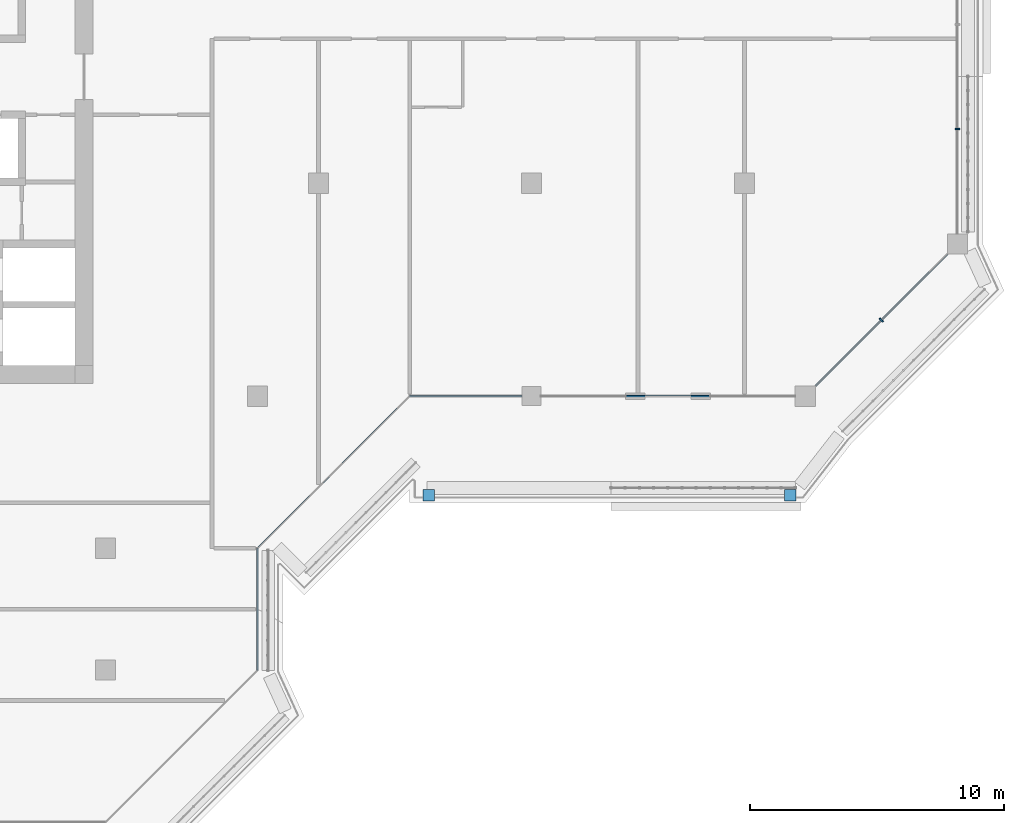
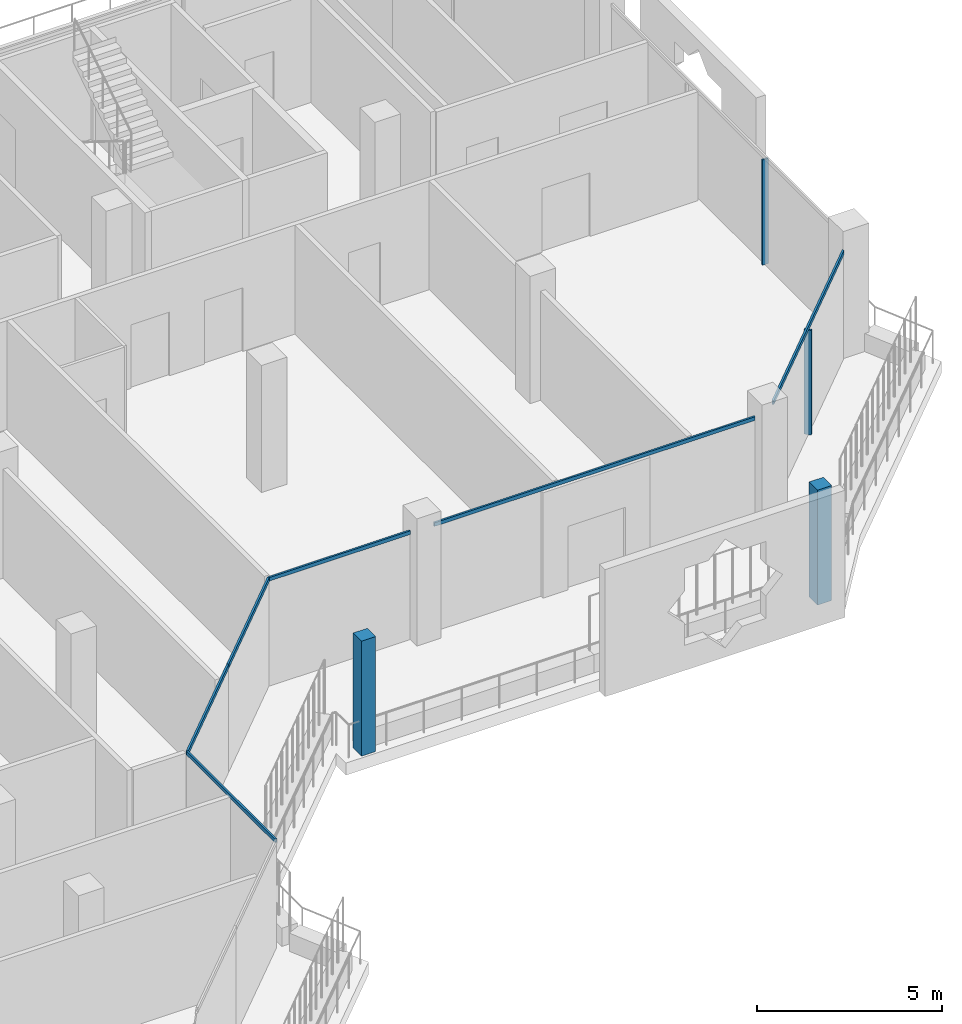
# One storey, part 5 of 21: 10 members, 6 elements without a shape of their own.
"""IFC4 building model written with IfcOpenShell, lengths in metres."""

from ifc_helpers import new_model, si_unit, direction, frame, origin, origin_2d, place, context, subcontext, project, spatial, rectangle, extrude, material, layer, layer_set, material_profile, profile_set, type_object, element, aggregate, save


model = new_model("IFC4")

# Units and contexts
model_context = context("Model", 3, precision=1e-05, world=origin(), true_north=direction((0.0, 1.0)))
body_context = subcontext(model_context, "Body", "Model", "MODEL_VIEW")
ifc_project = project(units=[si_unit("LENGTHUNIT", "METRE"), si_unit("AREAUNIT", "SQUARE_METRE"), si_unit("VOLUMEUNIT", "CUBIC_METRE"), si_unit("PLANEANGLEUNIT", "RADIAN"), si_unit("MASSUNIT", "GRAM", prefix="KILO")], contexts=[model_context])

# Site, building, storey
site_placement = place(None, origin())
site = spatial("IfcSite", under=ifc_project, at=site_placement, CompositionType="ELEMENT")
building_placement = place(site_placement, origin())
building = spatial("IfcBuilding", under=site, at=building_placement, Name="Kawkab Arch Medical Tower", CompositionType="ELEMENT")
storey_placement = place(building_placement, frame((0.0, 0.0, 307.0)))
storey = spatial("IfcBuildingStorey", under=building, at=storey_placement, Name="L71", CompositionType="ELEMENT", Elevation=307.0)

# Curtain wall, member
ifc_material_1 = material(Name="Bronze anodised aluminium curtain wall frame", Category="aluminium")
ifc_layer_1 = layer(ifc_material_1, 0.159912109375)
ifc_layer_set_1 = layer_set([ifc_layer_1], Name="Bronze anodised aluminium curtain wall frame")
curtain_wall_type_1 = type_object("IfcCurtainWallType", Name="CW1 ward curtain wall", PredefinedType="NOTDEFINED", material=ifc_layer_set_1)
placement = place(storey_placement, origin())
curtain_wall_1 = element("IfcCurtainWall", 1, at=placement, inside=storey, type_object=curtain_wall_type_1, Name="CW1 Ward curtain wall R13", PredefinedType="NOTDEFINED")
ifc_material_2 = material(Name="Bronze anodised aluminium curtain wall frame", Category="aluminium")
ifc_material_profile_1 = material_profile(ifc_material_2, rectangle(XDim=0.179931640625, YDim=0.06005859375, at=origin_2d()), Name="AL 60x180")
ifc_profile_set_1 = profile_set([ifc_material_profile_1], Name="Bronze anodised aluminium curtain wall frame")
member_type_1 = type_object("IfcMemberType", Name="CW1 mullion 60 x 180", PredefinedType="MULLION", material=ifc_profile_set_1)
member_1_placement = place(storey_placement, frame((58.800048828125, -14.666748046875, 0.0), z_axis=(0.0, 0.0, 1.0), x_axis=(-1.0, 0.0, 0.0)))
member_1 = element("IfcMember", 2, at=member_1_placement, type_object=member_type_1, Name="CW1 mullion 1.1", PredefinedType="MULLION", context=body_context, shape_type="SweptSolid", body=[
    extrude(rectangle(XDim=0.179931640625, YDim=0.06005859375, at=origin_2d()), origin(), (0.0, 0.0, 1.0), 3.47998046875),
])
aggregate(curtain_wall_1, [member_1])

curtain_wall_2 = element("IfcCurtainWall", 3, at=placement, inside=storey, type_object=curtain_wall_type_1, Name="CW1 Ward curtain wall R09", PredefinedType="NOTDEFINED")
ifc_material_3 = material(Name="Bronze anodised aluminium curtain wall frame", Category="aluminium")
ifc_material_profile_2 = material_profile(ifc_material_3, rectangle(XDim=0.06005859375, YDim=0.1201171875, at=origin_2d()), Name="AL 60x120")
ifc_profile_set_2 = profile_set([ifc_material_profile_2], Name="Bronze anodised aluminium curtain wall frame")
member_type_2 = type_object("IfcMemberType", Name="CW1 transom 120 x 60", PredefinedType="USERDEFINED", material=ifc_profile_set_2)
member_2_placement = place(storey_placement, frame((31.199951171875, -36.0, 3.5400390625), z_axis=(0.0, 1.0, 0.0), x_axis=(-1.0, 0.0, 0.0)))
member_2 = element("IfcMember", 4, at=member_2_placement, type_object=member_type_2, Name="CW1 transom 1", ObjectType="TRANSOM", PredefinedType="USERDEFINED", context=body_context, shape_type="SweptSolid", body=[
    extrude(rectangle(XDim=0.06005859375, YDim=0.1201171875, at=origin_2d()), origin(), (0.0, 0.0, 1.0), 4.800048828125),
])
aggregate(curtain_wall_2, [member_2])

# Curtain wall, members
curtain_wall_3 = element("IfcCurtainWall", 5, at=placement, inside=storey, type_object=curtain_wall_type_1, Name="CW1 Ward curtain wall R11", PredefinedType="NOTDEFINED")
member_3_placement = place(storey_placement, frame((37.199951171875, -25.199951171875, 3.5400390625), z_axis=(1.0, 0.0, 0.0), x_axis=(0.0, 1.0, 0.0)))
member_3 = element("IfcMember", 6, at=member_3_placement, type_object=member_type_2, Name="CW1 transom 1", ObjectType="TRANSOM", PredefinedType="USERDEFINED", context=body_context, shape_type="SweptSolid", body=[
    extrude(rectangle(XDim=0.06005859375, YDim=0.1201171875, at=origin_2d()), origin(), (0.0, 0.0, 1.0), 4.425048828125),
])
member_4_placement = place(storey_placement, frame((42.375, -25.199951171875, 3.5400390625), z_axis=(1.0, 0.0, 0.0), x_axis=(0.0, 1.0, 0.0)))
member_4 = element("IfcMember", 7, at=member_4_placement, type_object=member_type_2, Name="CW1 transom 2", ObjectType="TRANSOM", PredefinedType="USERDEFINED", context=body_context, shape_type="SweptSolid", body=[
    extrude(rectangle(XDim=0.06005859375, YDim=0.1201171875, at=origin_2d()), origin(), (0.0, 0.0, 1.0), 10.02490234375),
])
aggregate(curtain_wall_3, [member_3, member_4])

# Curtain wall, member
ifc_material_4 = material(Name="Bronze anodised aluminium curtain wall frame", Category="aluminium")
ifc_layer_2 = layer(ifc_material_4, 0.159912109375)
ifc_layer_set_2 = layer_set([ifc_layer_2], Name="Bronze anodised aluminium curtain wall frame")
curtain_wall_type_2 = type_object("IfcCurtainWallType", Name="CW2 chamfer curtain wall", PredefinedType="NOTDEFINED", material=ifc_layer_set_2)
curtain_wall_4 = element("IfcCurtainWall", 8, at=placement, inside=storey, type_object=curtain_wall_type_2, Name="CW2 Chamfer curtain wall R12", PredefinedType="NOTDEFINED")
ifc_material_5 = material(Name="Bronze anodised aluminium curtain wall frame", Category="aluminium")
ifc_material_profile_3 = material_profile(ifc_material_5, rectangle(XDim=0.199951171875, YDim=0.06005859375, at=origin_2d()), Name="AL 60x200")
ifc_profile_set_3 = profile_set([ifc_material_profile_3], Name="Bronze anodised aluminium curtain wall frame")
member_type_3 = type_object("IfcMemberType", Name="CW2 mullion 60 x 200", PredefinedType="MULLION", material=ifc_profile_set_3)
member_5_placement = place(storey_placement, frame((55.800048828125, -22.199951171875, 0.0), z_axis=(0.0, 0.0, 1.0), x_axis=(-0.707106781187, 0.707106781187, 0.0)))
member_5 = element("IfcMember", 9, at=member_5_placement, type_object=member_type_3, Name="CW2 mullion 1.1", PredefinedType="MULLION", context=body_context, shape_type="SweptSolid", body=[
    extrude(rectangle(XDim=0.199951171875, YDim=0.06005859375, at=origin_2d()), origin(), (0.0, 0.0, 1.0), 3.4599609375),
])

# Curtain wall, members
curtain_wall_5 = element("IfcCurtainWall", 10, at=placement, inside=storey, type_object=curtain_wall_type_2, Name="CW2 Chamfer curtain wall R10", PredefinedType="NOTDEFINED")
ifc_material_6 = material(Name="Bronze anodised aluminium curtain wall frame", Category="aluminium")
ifc_material_profile_4 = material_profile(ifc_material_6, rectangle(XDim=0.06005859375, YDim=0.139892578125, at=origin_2d()), Name="AL 60x140")
ifc_profile_set_4 = profile_set([ifc_material_profile_4], Name="Bronze anodised aluminium curtain wall frame")
member_type_4 = type_object("IfcMemberType", Name="CW2 transom 140 x 60", PredefinedType="USERDEFINED", material=ifc_profile_set_4)
member_6_placement = place(storey_placement, frame((31.199951171875, -31.199951171875, 3.530029296875), z_axis=(0.707106781187, 0.707106781187, 0.0), x_axis=(-0.707106781187, 0.707106781187, 0.0)))
member_6 = element("IfcMember", 11, at=member_6_placement, type_object=member_type_4, Name="CW2 transom 1", ObjectType="TRANSOM", PredefinedType="USERDEFINED", context=body_context, shape_type="SweptSolid", body=[
    extrude(rectangle(XDim=0.06005859375, YDim=0.139892578125, at=origin_2d()), origin(), (0.0, 0.0, 1.0), 4.24267578125),
])
member_7_placement = place(storey_placement, frame((34.199951171875, -28.199951171875, 3.530029296875), z_axis=(0.707106781187, 0.707106781187, 0.0), x_axis=(-0.707106781187, 0.707106781187, 0.0)))
member_7 = element("IfcMember", 12, at=member_7_placement, type_object=member_type_4, Name="CW2 transom 2", ObjectType="TRANSOM", PredefinedType="USERDEFINED", context=body_context, shape_type="SweptSolid", body=[
    extrude(rectangle(XDim=0.06005859375, YDim=0.139892578125, at=origin_2d()), origin(), (0.0, 0.0, 1.0), 4.24267578125),
])
aggregate(curtain_wall_5, [member_6, member_7])

# Member
member_8_placement = place(storey_placement, frame((53.199951171875, -24.800048828125, 3.530029296875), z_axis=(0.707106781187, 0.707106781187, 0.0), x_axis=(-0.707106781187, 0.707106781187, 0.0)))
member_8 = element("IfcMember", 13, at=member_8_placement, type_object=member_type_4, Name="CW2 transom 1", ObjectType="TRANSOM", PredefinedType="USERDEFINED", context=body_context, shape_type="SweptSolid", body=[
    extrude(rectangle(XDim=0.06005859375, YDim=0.139892578125, at=origin_2d()), origin(), (0.0, 0.0, 1.0), 7.353759765625),
])

aggregate(curtain_wall_4, [member_8, member_5])

# Curtain wall, members
ifc_material_7 = material(Name="Bronze anodised aluminium climber frame, planted", Category="aluminium")
ifc_layer_3 = layer(ifc_material_7, 0.449951171875)
ifc_layer_set_3 = layer_set([ifc_layer_3], Name="Bronze anodised aluminium climber frame, planted")
curtain_wall_type_3 = type_object("IfcCurtainWallType", Name="Planted climber frame", PredefinedType="NOTDEFINED", material=ifc_layer_set_3)
curtain_wall_6 = element("IfcCurtainWall", 14, at=placement, inside=storey, type_object=curtain_wall_type_3, Name="Planted climber frame L71", PredefinedType="NOTDEFINED")
ifc_material_8 = material(Name="Bronze anodised aluminium climber frame, planted", Category="aluminium")
ifc_material_profile_5 = material_profile(ifc_material_8, rectangle(XDim=0.449951171875, YDim=0.449951171875, at=origin_2d()), Name="Post 450x450")
ifc_profile_set_5 = profile_set([ifc_material_profile_5], Name="Bronze anodised aluminium climber frame, planted")
member_type_5 = type_object("IfcMemberType", Name="Planted climber post 450 x 450", PredefinedType="MULLION", material=ifc_profile_set_5)
member_9_placement = place(storey_placement, frame((52.202880859375, -29.10009765625, 0.0), z_axis=(0.0, 0.0, 1.0), x_axis=(1.0, 0.0, 0.0)))
member_9 = element("IfcMember", 15, at=member_9_placement, type_object=member_type_5, Name="Planted climber post L71.LOG-01-01.5", PredefinedType="MULLION", context=body_context, shape_type="SweptSolid", body=[
    extrude(rectangle(XDim=0.449951171875, YDim=0.449951171875, at=origin_2d()), origin(), (0.0, 0.0, 1.0), 3.800048828125),
])
member_10_placement = place(storey_placement, frame((37.949951171875, -29.10009765625, 0.0), z_axis=(0.0, 0.0, 1.0), x_axis=(1.0, 0.0, 0.0)))
member_10 = element("IfcMember", 16, at=member_10_placement, type_object=member_type_5, Name="Planted climber post L71.LOG-01-01.6", PredefinedType="MULLION", context=body_context, shape_type="SweptSolid", body=[
    extrude(rectangle(XDim=0.449951171875, YDim=0.449951171875, at=origin_2d()), origin(), (0.0, 0.0, 1.0), 3.800048828125),
])
aggregate(curtain_wall_6, [member_9, member_10])

save(model, "model.ifc")
